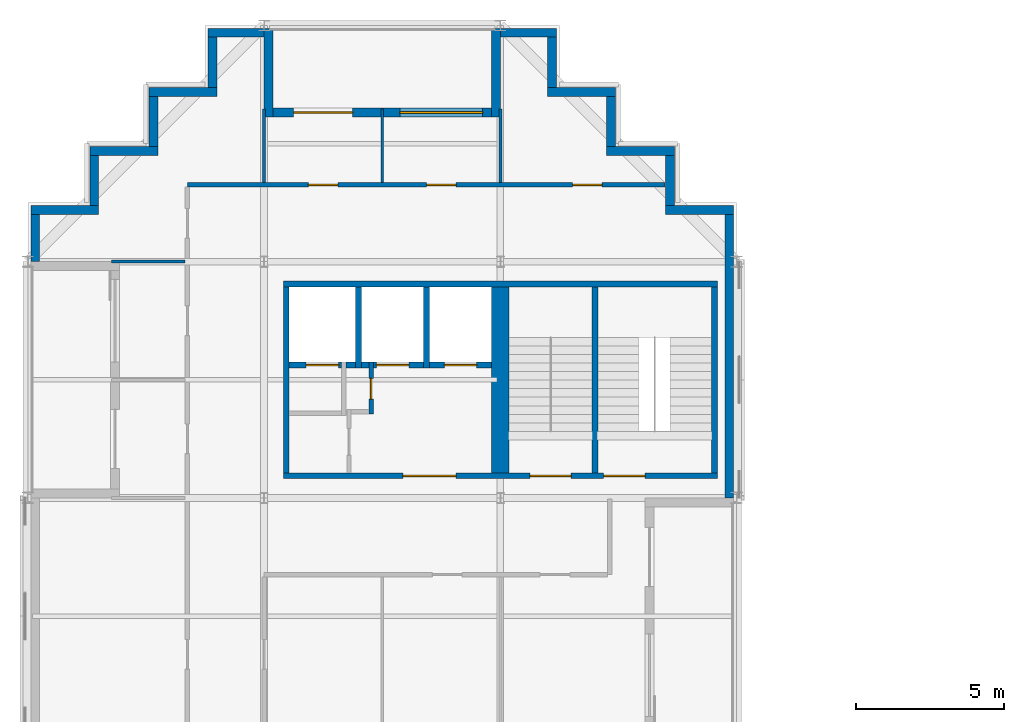
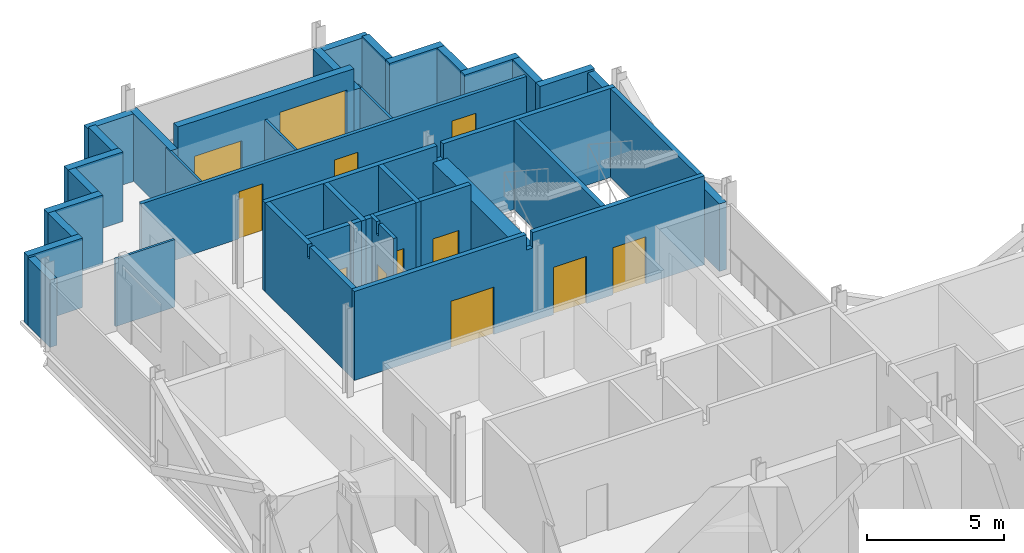
# One storey, part 8 of 12: 38 walls, 11 doors, 1 window, 12 openings.
"""IFC4 building model written with IfcOpenShell, lengths in metres."""

from ifc_helpers import new_model, si_unit, direction, frame, frame_2d, origin, place, context, subcontext, project, spatial, polyline, rectangle, outline, extrude, material, layer, layer_set, type_object, element, fill, save


model = new_model("IFC4")

# Units and contexts
model_context = context("Model", 3, precision=1e-05, world=origin(), true_north=direction((0.0, 1.0)))
body_context = subcontext(model_context, "Body", "Model", "MODEL_VIEW")
ifc_project = project(units=[si_unit("LENGTHUNIT", "METRE"), si_unit("AREAUNIT", "SQUARE_METRE"), si_unit("VOLUMEUNIT", "CUBIC_METRE"), si_unit("PLANEANGLEUNIT", "RADIAN"), si_unit("MASSUNIT", "GRAM", prefix="KILO")], contexts=[model_context])

# Site, building, storey
site_placement = place(None, origin())
site = spatial("IfcSite", under=ifc_project, at=site_placement, CompositionType="ELEMENT")
building_placement = place(site_placement, origin())
building = spatial("IfcBuilding", under=site, at=building_placement, Name="Immortelle Media Tower", CompositionType="ELEMENT")
storey_placement = place(building_placement, frame((0.0, 0.0, 178.800048828125)))
storey = spatial("IfcBuildingStorey", under=building, at=storey_placement, Name="L37", CompositionType="ELEMENT", Elevation=178.800048828125)

# Wall, opening, door
ifc_material_1 = material(Name="Fire-rated gypsum board", Category="gypsum")
ifc_layer_1 = layer(ifc_material_1, 0.02490234375)
ifc_material_2 = material(Name="Steel ASTM A653 SS Gr 50 stud frame with mineral wool", Category="steel")
ifc_layer_2 = layer(ifc_material_2, 0.10009765625)
ifc_layer_3 = layer(ifc_material_1, 0.02490234375)
ifc_layer_set_1 = layer_set([ifc_layer_1, ifc_layer_2, ifc_layer_3], Name="Steel ASTM A653 SS Gr 50 stud frame with mineral wool")
wall_type_1 = type_object("IfcWallType", Name="Core partition 150", PredefinedType="PARTITIONING", material=ifc_layer_set_1)
wall_1_placement = place(storey_placement, frame((11.625, 34.85009765625, 0.0), z_axis=(0.0, 0.0, 1.0), x_axis=(0.0, 1.0, 0.0)))
wall_1 = element("IfcWall", 1, at=wall_1_placement, inside=storey, type_object=wall_type_1, Name="Core partition NW", PredefinedType="PARTITIONING", context=body_context, shape_type="SweptSolid", body=[
    extrude(outline(polyline([(0.0, 0.0), (1.75, 0.0), (1.75, 3.949951171875), (1.238525390625, 3.949951171875), (1.237548828125, 3.407958984375), (1.0625, 3.407958984375), (1.0615234375, 3.949951171875), (0.0, 3.949951171875), (0.0, 0.0)])), frame((0.0, 0.074951171875, 0.0), z_axis=(0.0, -1.0, 0.0), x_axis=(1.0, 0.0, 0.0)), (0.0, 0.0, 1.0), 0.14990234375),
])
opening_1_placement = place(wall_1_placement, frame((0.5, 0.0, 0.0)))
opening_1 = element("IfcOpeningElement", 2, at=opening_1_placement, cuts=wall_1, Name="Opening C6-K024", PredefinedType="OPENING", context=body_context, shape_type="SweptSolid", body=[
    extrude(rectangle(XDim=0.699951171875, YDim=2.10009765625, at=frame_2d((0.35009765625, 1.050048828125))), frame((0.0, 0.0849609375, 0.0), z_axis=(0.0, -1.0, 0.0), x_axis=(1.0, 0.0, 0.0)), (0.0, 0.0, 1.0), 0.169921875),
])
ifc_material_3 = material(Name="Galvanised steel door leaf and frame ASTM A653", Category="steel")
door_type_1 = type_object("IfcDoorType", Name="Service door 700 x 2100", OperationType="NOTDEFINED", PredefinedType="NOTDEFINED", material=ifc_material_3)
door_1_placement = place(opening_1_placement, origin())
door_1 = element("IfcDoor", 3, at=door_1_placement, inside=storey, type_object=door_type_1, Name="Service C6-K024", OperationType="SINGLE_SWING_LEFT", OverallHeight=2.10009765625, OverallWidth=0.699951171875, PredefinedType="NOTDEFINED", context=body_context, shape_type="SweptSolid", body=[
    extrude(rectangle(XDim=0.699951171875, YDim=2.10009765625, at=frame_2d((0.35009765625, 1.050048828125))), frame((0.0, 0.02490234375, 0.0), z_axis=(0.0, -1.0, 0.0), x_axis=(1.0, 0.0, 0.0)), (0.0, 0.0, 1.0), 0.050048828125),
])
fill(opening_1, door_1)

# Wall
ifc_layer_4 = layer(ifc_material_1, 0.03759765625)
ifc_layer_5 = layer(ifc_material_2, 0.125)
ifc_layer_6 = layer(ifc_material_1, 0.03759765625)
ifc_layer_set_2 = layer_set([ifc_layer_4, ifc_layer_5, ifc_layer_6], Name="Steel ASTM A653 SS Gr 50 stud frame with mineral wool")
wall_type_2 = type_object("IfcWallType", Name="Core shaft wall 200", PredefinedType="PARTITIONING", material=ifc_layer_set_2)
wall_2_placement = place(storey_placement, frame((8.75, 32.85009765625, 0.0), z_axis=(0.0, 0.0, 1.0), x_axis=(0.0, 1.0, 0.0)))
element("IfcWall", 4, at=wall_2_placement, inside=storey, type_object=wall_type_2, Name="Core shaft wall NW", PredefinedType="PARTITIONING", context=body_context, shape_type="SweptSolid", body=[
    extrude(outline(polyline([(0.0, 0.0), (6.2998046875, 0.0), (6.300048828125, 3.949951171875), (3.238525390625, 3.949951171875), (3.237548828125, 3.407958984375), (3.0625, 3.407958984375), (3.0615234375, 3.949951171875), (0.0, 3.949951171875), (0.0, 0.0)])), frame((0.0, 0.10009765625, 0.0), z_axis=(0.0, -1.0, 0.0), x_axis=(1.0, 0.0, 0.0)), (0.0, 0.0, 1.0), 0.199951171875),
])

# Wall, opening, door
wall_3_placement = place(storey_placement, frame((8.85009765625, 36.5, 0.0), z_axis=(0.0, 0.0, 1.0), x_axis=(1.0, 0.0, 0.0)))
wall_3 = element("IfcWall", 5, at=wall_3_placement, inside=storey, type_object=wall_type_2, Name="Core shaft wall NW", PredefinedType="PARTITIONING", context=body_context, shape_type="SweptSolid", body=[
    extrude(rectangle(XDim=1.77490234375, YDim=0.199951171875, at=frame_2d((0.887451171875, 0.0))), origin(), (0.0, 0.0, 1.0), 3.949951171875),
])
opening_2_placement = place(wall_3_placement, frame((0.574951171875, 0.0, 0.0)))
opening_2 = element("IfcOpeningElement", 6, at=opening_2_placement, cuts=wall_3, Name="Opening LD", PredefinedType="OPENING", context=body_context, shape_type="SweptSolid", body=[
    extrude(rectangle(XDim=1.10009765625, YDim=2.10009765625, at=frame_2d((0.550048828125, 1.050048828125))), frame((0.0, 0.10986328125, 0.0), z_axis=(0.0, -1.0, 0.0), x_axis=(1.0, 0.0, 0.0)), (0.0, 0.0, 1.0), 0.219970703125),
])
ifc_material_4 = material(Name="Stainless steel AISI 304", Category="steel")
door_type_2 = type_object("IfcDoorType", Name="Landing door 1100 x 2100", OperationType="SLIDING_TO_LEFT", PredefinedType="NOTDEFINED", material=ifc_material_4)
door_2_placement = place(opening_2_placement, origin())
door_2 = element("IfcDoor", 7, at=door_2_placement, inside=storey, type_object=door_type_2, Name="Landing door MR1 L37", OperationType="SLIDING_TO_LEFT", OverallHeight=2.10009765625, OverallWidth=1.10009765625, PredefinedType="NOTDEFINED", context=body_context, shape_type="SweptSolid", body=[
    extrude(rectangle(XDim=1.10009765625, YDim=2.10009765625, at=frame_2d((0.550048828125, 1.050048828125))), frame((0.0, 0.02490234375, 0.0), z_axis=(0.0, -1.0, 0.0), x_axis=(1.0, 0.0, 0.0)), (0.0, 0.0, 1.0), 0.050048828125),
])
fill(opening_2, door_2)

# Walls
wall_4_placement = place(storey_placement, frame((10.77490234375, 36.5, 0.0), z_axis=(0.0, 0.0, 1.0), x_axis=(1.0, 0.0, 0.0)))
element("IfcWall", 8, at=wall_4_placement, inside=storey, type_object=wall_type_2, Name="Core shaft wall NW", PredefinedType="PARTITIONING", context=body_context, shape_type="SweptSolid", body=[
    extrude(rectangle(XDim=0.3251953125, YDim=0.199951171875, at=frame_2d((0.16259765625, 0.0))), origin(), (0.0, 0.0, 1.0), 3.949951171875),
])
wall_5_placement = place(storey_placement, frame((11.199951171875, 36.39990234375, 0.0), z_axis=(0.0, 0.0, 1.0), x_axis=(0.0, 1.0, 0.0)))
element("IfcWall", 9, at=wall_5_placement, inside=storey, type_object=wall_type_2, Name="Core shaft wall NW", PredefinedType="PARTITIONING", context=body_context, shape_type="SweptSolid", body=[
    extrude(rectangle(XDim=2.75, YDim=0.199951171875, at=frame_2d((1.375, 0.0))), origin(), (0.0, 0.0, 1.0), 3.949951171875),
])
wall_6_placement = place(storey_placement, frame((11.300048828125, 36.5, 0.0), z_axis=(0.0, 0.0, 1.0), x_axis=(1.0, 0.0, 0.0)))
element("IfcWall", 10, at=wall_6_placement, inside=storey, type_object=wall_type_2, Name="Core shaft wall NW", PredefinedType="PARTITIONING", context=body_context, shape_type="SweptSolid", body=[
    extrude(rectangle(XDim=0.25, YDim=0.199951171875, at=frame_2d((0.125, 0.0))), origin(), (0.0, 0.0, 1.0), 3.949951171875),
])

# Wall, opening, door
wall_7_placement = place(storey_placement, frame((11.699951171875, 36.5, 0.0), z_axis=(0.0, 0.0, 1.0), x_axis=(1.0, 0.0, 0.0)))
wall_7 = element("IfcWall", 11, at=wall_7_placement, inside=storey, type_object=wall_type_2, Name="Core shaft wall NW", PredefinedType="PARTITIONING", context=body_context, shape_type="SweptSolid", body=[
    extrude(rectangle(XDim=1.699951171875, YDim=0.199951171875, at=frame_2d((0.85009765625, 0.0))), origin(), (0.0, 0.0, 1.0), 3.949951171875),
])
opening_3_placement = place(wall_7_placement, frame((0.10009765625, 0.0, 0.0)))
opening_3 = element("IfcOpeningElement", 12, at=opening_3_placement, cuts=wall_7, Name="Opening LD", PredefinedType="OPENING", context=body_context, shape_type="SweptSolid", body=[
    extrude(rectangle(XDim=1.10009765625, YDim=2.10009765625, at=frame_2d((0.550048828125, 1.050048828125))), frame((0.0, 0.10986328125, 0.0), z_axis=(0.0, -1.0, 0.0), x_axis=(1.0, 0.0, 0.0)), (0.0, 0.0, 1.0), 0.219970703125),
])
door_3_placement = place(opening_3_placement, origin())
door_3 = element("IfcDoor", 13, at=door_3_placement, inside=storey, type_object=door_type_2, Name="Landing door MR2 L37", OperationType="SLIDING_TO_LEFT", OverallHeight=2.10009765625, OverallWidth=1.10009765625, PredefinedType="NOTDEFINED", context=body_context, shape_type="SweptSolid", body=[
    extrude(rectangle(XDim=1.10009765625, YDim=2.10009765625, at=frame_2d((0.550048828125, 1.050048828125))), frame((0.0, 0.02490234375, 0.0), z_axis=(0.0, -1.0, 0.0), x_axis=(1.0, 0.0, 0.0)), (0.0, 0.0, 1.0), 0.050048828125),
])
fill(opening_3, door_3)

# Wall
wall_8_placement = place(storey_placement, frame((13.5, 36.39990234375, 0.0), z_axis=(0.0, 0.0, 1.0), x_axis=(0.0, 1.0, 0.0)))
element("IfcWall", 14, at=wall_8_placement, inside=storey, type_object=wall_type_2, Name="Core shaft wall NW", PredefinedType="PARTITIONING", context=body_context, shape_type="SweptSolid", body=[
    extrude(rectangle(XDim=2.75, YDim=0.199951171875, at=frame_2d((1.375, 0.0))), origin(), (0.0, 0.0, 1.0), 3.949951171875),
])

# Wall, opening, door
wall_9_placement = place(storey_placement, frame((13.60009765625, 36.5, 0.0), z_axis=(0.0, 0.0, 1.0), x_axis=(1.0, 0.0, 0.0)))
wall_9 = element("IfcWall", 15, at=wall_9_placement, inside=storey, type_object=wall_type_2, Name="Core shaft wall NW", PredefinedType="PARTITIONING", context=body_context, shape_type="SweptSolid", body=[
    extrude(rectangle(XDim=2.099853515625, YDim=0.199951171875, at=frame_2d((1.0498046875, 0.0))), origin(), (0.0, 0.0, 1.0), 3.949951171875),
])
opening_4_placement = place(wall_9_placement, frame((0.5, 0.0, 0.0)))
opening_4 = element("IfcOpeningElement", 16, at=opening_4_placement, cuts=wall_9, Name="Opening LD", PredefinedType="OPENING", context=body_context, shape_type="SweptSolid", body=[
    extrude(rectangle(XDim=1.10009765625, YDim=2.10009765625, at=frame_2d((0.550048828125, 1.050048828125))), frame((0.0, 0.10986328125, 0.0), z_axis=(0.0, -1.0, 0.0), x_axis=(1.0, 0.0, 0.0)), (0.0, 0.0, 1.0), 0.219970703125),
])
door_4_placement = place(opening_4_placement, origin())
door_4 = element("IfcDoor", 17, at=door_4_placement, inside=storey, type_object=door_type_2, Name="Landing door MR3 L37", OperationType="SLIDING_TO_LEFT", OverallHeight=2.10009765625, OverallWidth=1.10009765625, PredefinedType="NOTDEFINED", context=body_context, shape_type="SweptSolid", body=[
    extrude(rectangle(XDim=1.10009765625, YDim=2.10009765625, at=frame_2d((0.550048828125, 1.050048828125))), frame((0.0, 0.02490234375, 0.0), z_axis=(0.0, -1.0, 0.0), x_axis=(1.0, 0.0, 0.0)), (0.0, 0.0, 1.0), 0.050048828125),
])
fill(opening_4, door_4)

# Wall, openings, doors
ifc_layer_7 = layer(ifc_material_1, 0.012451171875)
ifc_layer_8 = layer(ifc_material_2, 0.125)
ifc_layer_9 = layer(ifc_material_1, 0.012451171875)
ifc_layer_set_3 = layer_set([ifc_layer_7, ifc_layer_8, ifc_layer_9], Name="Steel ASTM A653 SS Gr 50 stud frame with mineral wool")
wall_type_3 = type_object("IfcWallType", Name="Corridor wall 150", PredefinedType="PARTITIONING", material=ifc_layer_set_3)
wall_10_placement = place(storey_placement, frame((5.39990234375, 42.60009765625, 0.0), z_axis=(0.0, 0.0, 1.0), x_axis=(1.0, 0.0, 0.0)))
wall_10 = element("IfcWall", 18, at=wall_10_placement, inside=storey, type_object=wall_type_3, Name="Partition L37-028", PredefinedType="PARTITIONING", context=body_context, shape_type="SweptSolid", body=[
    extrude(rectangle(XDim=16.170166015625, YDim=0.14990234375, at=frame_2d((8.0849609375, 0.0))), origin(), (0.0, 0.0, 1.0), 2.993896484375),
])
opening_5_placement = place(wall_10_placement, frame((4.10009765625, 0.0, 0.0)))
opening_5 = element("IfcOpeningElement", 19, at=opening_5_placement, cuts=wall_10, Name="Opening C6-F020", PredefinedType="OPENING", context=body_context, shape_type="SweptSolid", body=[
    extrude(rectangle(XDim=1.0, YDim=2.10009765625, at=frame_2d((0.5, 1.050048828125))), frame((0.0, 0.0849609375, 0.0), z_axis=(0.0, -1.0, 0.0), x_axis=(1.0, 0.0, 0.0)), (0.0, 0.0, 1.0), 0.169921875),
])
opening_6_placement = place(wall_10_placement, frame((8.10009765625, 0.0, 0.0)))
opening_6 = element("IfcOpeningElement", 20, at=opening_6_placement, cuts=wall_10, Name="Opening C6-F021", PredefinedType="OPENING", context=body_context, shape_type="SweptSolid", body=[
    extrude(rectangle(XDim=1.0, YDim=2.10009765625, at=frame_2d((0.5, 1.050048828125))), frame((0.0, 0.0849609375, 0.0), z_axis=(0.0, -1.0, 0.0), x_axis=(1.0, 0.0, 0.0)), (0.0, 0.0, 1.0), 0.169921875),
])
opening_7_placement = place(wall_10_placement, frame((13.050048828125, 0.0, 0.0)))
opening_7 = element("IfcOpeningElement", 21, at=opening_7_placement, cuts=wall_10, Name="Opening C6-F022", PredefinedType="OPENING", context=body_context, shape_type="SweptSolid", body=[
    extrude(rectangle(XDim=1.0, YDim=2.10009765625, at=frame_2d((0.5, 1.050048828125))), frame((0.0, 0.0849609375, 0.0), z_axis=(0.0, -1.0, 0.0), x_axis=(1.0, 0.0, 0.0)), (0.0, 0.0, 1.0), 0.169921875),
])
ifc_material_5 = material(Name="Timber veneered door leaf, galvanised steel frame ASTM A653", Category="steel")
door_type_3 = type_object("IfcDoorType", Name="Room door 1000 x 2100", OperationType="NOTDEFINED", PredefinedType="DOOR", material=ifc_material_5)
door_5_placement = place(opening_5_placement, origin())
door_5 = element("IfcDoor", 22, at=door_5_placement, inside=storey, type_object=door_type_3, Name="Door C6-F020", OperationType="SINGLE_SWING_RIGHT", OverallHeight=2.10009765625, OverallWidth=1.0, PredefinedType="DOOR", context=body_context, shape_type="SweptSolid", body=[
    extrude(rectangle(XDim=1.0, YDim=2.10009765625, at=frame_2d((0.5, 1.050048828125))), frame((0.0, 0.02490234375, 0.0), z_axis=(0.0, -1.0, 0.0), x_axis=(1.0, 0.0, 0.0)), (0.0, 0.0, 1.0), 0.050048828125),
])
fill(opening_5, door_5)
door_6_placement = place(opening_6_placement, origin())
door_6 = element("IfcDoor", 23, at=door_6_placement, inside=storey, type_object=door_type_3, Name="Door C6-F021", OperationType="SINGLE_SWING_LEFT", OverallHeight=2.10009765625, OverallWidth=1.0, PredefinedType="DOOR", context=body_context, shape_type="SweptSolid", body=[
    extrude(rectangle(XDim=1.0, YDim=2.10009765625, at=frame_2d((0.5, 1.050048828125))), frame((0.0, 0.02490234375, 0.0), z_axis=(0.0, -1.0, 0.0), x_axis=(1.0, 0.0, 0.0)), (0.0, 0.0, 1.0), 0.050048828125),
])
fill(opening_6, door_6)
door_7_placement = place(opening_7_placement, origin())
door_7 = element("IfcDoor", 24, at=door_7_placement, inside=storey, type_object=door_type_3, Name="Door C6-F022", OperationType="SINGLE_SWING_LEFT", OverallHeight=2.10009765625, OverallWidth=1.0, PredefinedType="DOOR", context=body_context, shape_type="SweptSolid", body=[
    extrude(rectangle(XDim=1.0, YDim=2.10009765625, at=frame_2d((0.5, 1.050048828125))), frame((0.0, 0.02490234375, 0.0), z_axis=(0.0, -1.0, 0.0), x_axis=(1.0, 0.0, 0.0)), (0.0, 0.0, 1.0), 0.050048828125),
])
fill(opening_7, door_7)

# Walls
ifc_material_6 = material(Name="Pale aluminium cladding panel", Category="aluminium")
ifc_layer_10 = layer(ifc_material_6, 0.030029296875)
ifc_layer_11 = layer(ifc_material_2, 0.257568359375)
ifc_material_7 = material(Name="Moisture-resistant gypsum board", Category="gypsum")
ifc_layer_12 = layer(ifc_material_7, 0.012451171875)
ifc_layer_set_4 = layer_set([ifc_layer_10, ifc_layer_11, ifc_layer_12], Name="Steel ASTM A653 SS Gr 50 stud frame with mineral wool")
wall_type_4 = type_object("IfcWallType", Name="Facade wall 300", PredefinedType="SOLIDWALL", material=ifc_layer_set_4)
wall_11_placement = place(storey_placement, frame((23.75, 32.0, 0.0), z_axis=(0.0, 0.0, 1.0), x_axis=(0.0, 1.0, 0.0)))
element("IfcWall", 25, at=wall_11_placement, inside=storey, type_object=wall_type_4, Name="Facade wall L37 E21", PredefinedType="SOLIDWALL", context=body_context, shape_type="SweptSolid", body=[
    extrude(rectangle(XDim=9.60009765625, YDim=0.300048828125, at=frame_2d((4.800048828125, 0.0))), origin(), (0.0, 0.0, 1.0), 2.9990234375),
])
wall_12_placement = place(storey_placement, frame((23.89990234375, 41.75, 0.0), z_axis=(0.0, 0.0, 1.0), x_axis=(-1.0, 0.0, 0.0)))
element("IfcWall", 26, at=wall_12_placement, inside=storey, type_object=wall_type_4, Name="Facade wall L37 N22", PredefinedType="SOLIDWALL", context=body_context, shape_type="SweptSolid", body=[
    extrude(rectangle(XDim=2.2998046875, YDim=0.300048828125, at=frame_2d((1.14990234375, 0.0))), origin(), (0.0, 0.0, 1.0), 3.087890625),
])
wall_13_placement = place(storey_placement, frame((21.75, 41.89990234375, 0.0), z_axis=(0.0, 0.0, 1.0), x_axis=(0.0, 1.0, 0.0)))
element("IfcWall", 27, at=wall_13_placement, inside=storey, type_object=wall_type_4, Name="Facade wall L37 E23", PredefinedType="SOLIDWALL", context=body_context, shape_type="SweptSolid", body=[
    extrude(rectangle(XDim=1.7001953125, YDim=0.300048828125, at=frame_2d((0.85009765625, 0.0))), origin(), (0.0, 0.0, 1.0), 3.087890625),
])
wall_14_placement = place(storey_placement, frame((21.89990234375, 43.75, 0.0), z_axis=(0.0, 0.0, 1.0), x_axis=(-1.0, 0.0, 0.0)))
element("IfcWall", 28, at=wall_14_placement, inside=storey, type_object=wall_type_4, Name="Facade wall L37 N24", PredefinedType="SOLIDWALL", context=body_context, shape_type="SweptSolid", body=[
    extrude(rectangle(XDim=2.2998046875, YDim=0.300048828125, at=frame_2d((1.14990234375, 0.0))), origin(), (0.0, 0.0, 1.0), 3.087890625),
])
wall_15_placement = place(storey_placement, frame((19.75, 43.89990234375, 0.0), z_axis=(0.0, 0.0, 1.0), x_axis=(0.0, 1.0, 0.0)))
element("IfcWall", 29, at=wall_15_placement, inside=storey, type_object=wall_type_4, Name="Facade wall L37 E25", PredefinedType="SOLIDWALL", context=body_context, shape_type="SweptSolid", body=[
    extrude(rectangle(XDim=1.7001953125, YDim=0.300048828125, at=frame_2d((0.85009765625, 0.0))), origin(), (0.0, 0.0, 1.0), 3.087890625),
])
wall_16_placement = place(storey_placement, frame((19.89990234375, 45.75, 0.0), z_axis=(0.0, 0.0, 1.0), x_axis=(-1.0, 0.0, 0.0)))
element("IfcWall", 30, at=wall_16_placement, inside=storey, type_object=wall_type_4, Name="Facade wall L37 N26", PredefinedType="SOLIDWALL", context=body_context, shape_type="SweptSolid", body=[
    extrude(rectangle(XDim=2.2998046875, YDim=0.300048828125, at=frame_2d((1.14990234375, 0.0))), origin(), (0.0, 0.0, 1.0), 3.087890625),
])
wall_17_placement = place(storey_placement, frame((17.75, 45.89990234375, 0.0), z_axis=(0.0, 0.0, 1.0), x_axis=(0.0, 1.0, 0.0)))
element("IfcWall", 31, at=wall_17_placement, inside=storey, type_object=wall_type_4, Name="Facade wall L37 E27", PredefinedType="SOLIDWALL", context=body_context, shape_type="SweptSolid", body=[
    extrude(rectangle(XDim=1.7001953125, YDim=0.300048828125, at=frame_2d((0.85009765625, 0.0))), origin(), (0.0, 0.0, 1.0), 3.087890625),
])
wall_18_placement = place(storey_placement, frame((17.89990234375, 47.75, 0.0), z_axis=(0.0, 0.0, 1.0), x_axis=(-1.0, 0.0, 0.0)))
element("IfcWall", 32, at=wall_18_placement, inside=storey, type_object=wall_type_4, Name="Facade wall L37 N28", PredefinedType="SOLIDWALL", context=body_context, shape_type="SweptSolid", body=[
    extrude(rectangle(XDim=1.89990234375, YDim=0.300048828125, at=frame_2d((0.949951171875, 0.0))), origin(), (0.0, 0.0, 1.0), 2.9990234375),
])

# Wall, openings, door, window
wall_19_placement = place(storey_placement, frame((15.699951171875, 45.050048828125, 0.0), z_axis=(0.0, 0.0, 1.0), x_axis=(-1.0, 0.0, 0.0)))
wall_19 = element("IfcWall", 33, at=wall_19_placement, inside=storey, type_object=wall_type_4, Name="Loggia wall L37 N28", PredefinedType="SOLIDWALL", context=body_context, shape_type="SweptSolid", body=[
    extrude(rectangle(XDim=7.39990234375, YDim=0.300048828125, at=frame_2d((3.699951171875, 0.0))), origin(), (0.0, 0.0, 1.0), 3.949951171875),
])
opening_8_placement = place(wall_19_placement, frame((0.300048828125, 0.0, 0.89990234375)))
opening_8 = element("IfcOpeningElement", 34, at=opening_8_placement, cuts=wall_19, Name="Opening W1", PredefinedType="OPENING", context=body_context, shape_type="SweptSolid", body=[
    extrude(rectangle(XDim=2.800048828125, YDim=2.199951171875, at=frame_2d((1.39990234375, 1.10009765625))), frame((0.0, 0.159912109375, 0.0), z_axis=(0.0, -1.0, 0.0), x_axis=(1.0, 0.0, 0.0)), (0.0, 0.0, 1.0), 0.320068359375),
])
opening_9_placement = place(wall_19_placement, frame((4.699951171875, 0.0, 0.0)))
opening_9 = element("IfcOpeningElement", 35, at=opening_9_placement, cuts=wall_19, Name="Opening C6-E006", PredefinedType="OPENING", context=body_context, shape_type="SweptSolid", body=[
    extrude(rectangle(XDim=2.0, YDim=2.39990234375, at=frame_2d((1.0, 1.199951171875))), frame((0.0, 0.159912109375, 0.0), z_axis=(0.0, -1.0, 0.0), x_axis=(1.0, 0.0, 0.0)), (0.0, 0.0, 1.0), 0.320068359375),
])
ifc_material_8 = material(Name="Aluminium frame, glazed leaves", Category="aluminium")
door_type_4 = type_object("IfcDoorType", Name="Loggia door 2000 x 2400", OperationType="DOUBLE_DOOR_SINGLE_SWING", PredefinedType="DOOR", material=ifc_material_8)
door_8_placement = place(opening_9_placement, origin())
door_8 = element("IfcDoor", 36, at=door_8_placement, inside=storey, type_object=door_type_4, Name="Door C6-E006", OperationType="DOUBLE_DOOR_SINGLE_SWING", OverallHeight=2.39990234375, OverallWidth=2.0, PredefinedType="DOOR", context=body_context, shape_type="SweptSolid", body=[
    extrude(rectangle(XDim=2.0, YDim=2.39990234375, at=frame_2d((1.0, 1.199951171875))), frame((0.0, 0.02490234375, 0.0), z_axis=(0.0, -1.0, 0.0), x_axis=(1.0, 0.0, 0.0)), (0.0, 0.0, 1.0), 0.050048828125),
])
fill(opening_9, door_8)
ifc_material_9 = material(Name="Aluminium frame", Category="aluminium")
window_type = type_object("IfcWindowType", Name="Window 2800 x 2200", PartitioningType="SINGLE_PANEL", PredefinedType="WINDOW", material=ifc_material_9)
window_placement = place(opening_8_placement, origin())
window = element("IfcWindow", 37, at=window_placement, inside=storey, type_object=window_type, Name="Window L37 L37-R28-B0", OverallHeight=2.199951171875, OverallWidth=2.800048828125, PartitioningType="SINGLE_PANEL", PredefinedType="WINDOW", context=body_context, shape_type="SweptSolid", body=[
    extrude(rectangle(XDim=2.800048828125, YDim=2.199951171875, at=frame_2d((1.39990234375, 1.10009765625))), frame((0.0, 0.030029296875, 0.0), z_axis=(0.0, -1.0, 0.0), x_axis=(1.0, 0.0, 0.0)), (0.0, 0.0, 1.0), 0.06005859375),
])
fill(opening_8, window)

# Walls
for number, where, z_axis, x_axis, name in (
    (38, (15.85009765625, 47.89990234375, 0.0), (0.0, 0.0, 1.0), (0.0, -1.0, 0.0), "Loggia cheek wall L37 N"),
    (39, (8.14990234375, 47.89990234375, 0.0), (0.0, 0.0, 1.0), (0.0, -1.0, 0.0), "Loggia cheek wall L37 N"),
):
    element("IfcWall", number, at=place(storey_placement, frame(where, z_axis=z_axis, x_axis=x_axis)), inside=storey, type_object=wall_type_4, Name=name, PredefinedType="SOLIDWALL", context=body_context, shape_type="SweptSolid", body=[
        extrude(rectangle(XDim=3.0, YDim=0.300048828125, at=frame_2d((1.5, 0.0))), origin(), (0.0, 0.0, 1.0), 2.9990234375),
    ])
wall_20_placement = place(storey_placement, frame((8.0, 47.75, 0.0), z_axis=(0.0, 0.0, 1.0), x_axis=(-1.0, 0.0, 0.0)))
element("IfcWall", 40, at=wall_20_placement, inside=storey, type_object=wall_type_4, Name="Facade wall L37 N28", PredefinedType="SOLIDWALL", context=body_context, shape_type="SweptSolid", body=[
    extrude(rectangle(XDim=1.89990234375, YDim=0.300048828125, at=frame_2d((0.949951171875, 0.0))), origin(), (0.0, 0.0, 1.0), 2.9990234375),
])
wall_21_placement = place(storey_placement, frame((6.25, 47.60009765625, 0.0), z_axis=(0.0, 0.0, 1.0), x_axis=(0.0, -1.0, 0.0)))
element("IfcWall", 41, at=wall_21_placement, inside=storey, type_object=wall_type_4, Name="Facade wall L37 W29", PredefinedType="SOLIDWALL", context=body_context, shape_type="SweptSolid", body=[
    extrude(rectangle(XDim=1.7001953125, YDim=0.300048828125, at=frame_2d((0.85009765625, 0.0))), origin(), (0.0, 0.0, 1.0), 3.087890625),
])
wall_22_placement = place(storey_placement, frame((6.39990234375, 45.75, 0.0), z_axis=(0.0, 0.0, 1.0), x_axis=(-1.0, 0.0, 0.0)))
element("IfcWall", 42, at=wall_22_placement, inside=storey, type_object=wall_type_4, Name="Facade wall L37 N30", PredefinedType="SOLIDWALL", context=body_context, shape_type="SweptSolid", body=[
    extrude(rectangle(XDim=2.2998046875, YDim=0.300048828125, at=frame_2d((1.14990234375, 0.0))), origin(), (0.0, 0.0, 1.0), 3.087890625),
])
wall_23_placement = place(storey_placement, frame((4.25, 45.60009765625, 0.0), z_axis=(0.0, 0.0, 1.0), x_axis=(0.0, -1.0, 0.0)))
element("IfcWall", 43, at=wall_23_placement, inside=storey, type_object=wall_type_4, Name="Facade wall L37 W31", PredefinedType="SOLIDWALL", context=body_context, shape_type="SweptSolid", body=[
    extrude(rectangle(XDim=1.7001953125, YDim=0.300048828125, at=frame_2d((0.85009765625, 0.0))), origin(), (0.0, 0.0, 1.0), 3.087890625),
])
wall_24_placement = place(storey_placement, frame((4.39990234375, 43.75, 0.0), z_axis=(0.0, 0.0, 1.0), x_axis=(-1.0, 0.0, 0.0)))
element("IfcWall", 44, at=wall_24_placement, inside=storey, type_object=wall_type_4, Name="Facade wall L37 N32", PredefinedType="SOLIDWALL", context=body_context, shape_type="SweptSolid", body=[
    extrude(rectangle(XDim=2.2998046875, YDim=0.300048828125, at=frame_2d((1.14990234375, 0.0))), origin(), (0.0, 0.0, 1.0), 3.087890625),
])
wall_25_placement = place(storey_placement, frame((2.25, 43.60009765625, 0.0), z_axis=(0.0, 0.0, 1.0), x_axis=(0.0, -1.0, 0.0)))
element("IfcWall", 45, at=wall_25_placement, inside=storey, type_object=wall_type_4, Name="Facade wall L37 W33", PredefinedType="SOLIDWALL", context=body_context, shape_type="SweptSolid", body=[
    extrude(rectangle(XDim=1.7001953125, YDim=0.300048828125, at=frame_2d((0.85009765625, 0.0))), origin(), (0.0, 0.0, 1.0), 3.087890625),
])
wall_26_placement = place(storey_placement, frame((2.39990234375, 41.75, 0.0), z_axis=(0.0, 0.0, 1.0), x_axis=(-1.0, 0.0, 0.0)))
element("IfcWall", 46, at=wall_26_placement, inside=storey, type_object=wall_type_4, Name="Facade wall L37 N34", PredefinedType="SOLIDWALL", context=body_context, shape_type="SweptSolid", body=[
    extrude(rectangle(XDim=2.2998046875, YDim=0.300048828125, at=frame_2d((1.14990234375, 0.0))), origin(), (0.0, 0.0, 1.0), 3.087890625),
])
wall_27_placement = place(storey_placement, frame((0.25, 41.60009765625, 0.0), z_axis=(0.0, 0.0, 1.0), x_axis=(0.0, -1.0, 0.0)))
element("IfcWall", 47, at=wall_27_placement, inside=storey, type_object=wall_type_4, Name="Facade wall L37 W35", PredefinedType="SOLIDWALL", context=body_context, shape_type="SweptSolid", body=[
    extrude(rectangle(XDim=1.60009765625, YDim=0.300048828125, at=frame_2d((0.800048828125, 0.0))), origin(), (0.0, 0.0, 1.0), 2.9990234375),
])
ifc_material_10 = material(Name="Gypsum board", Category="gypsum")
ifc_layer_13 = layer(ifc_material_10, 0.012451171875)
ifc_layer_14 = layer(ifc_material_2, 0.074951171875)
ifc_layer_15 = layer(ifc_material_10, 0.012451171875)
ifc_layer_set_5 = layer_set([ifc_layer_13, ifc_layer_14, ifc_layer_15], Name="Steel ASTM A653 SS Gr 50 stud frame with mineral wool")
wall_type_5 = type_object("IfcWallType", Name="Partition 100", PredefinedType="PARTITIONING", material=ifc_layer_set_5)
for number, where, z_axis, x_axis, name in (
    (48, (2.830078125, 40.0, 0.0), (0.0, 0.0, 1.0), (1.0, 0.0, 0.0), "Partition L37-027"),
    (49, (8.0, 42.675048828125, 0.0), (0.0, 0.0, 1.0), (0.0, 1.0, 0.0), "Partition L37-029"),
    (50, (12.0, 42.675048828125, 0.0), (0.0, 0.0, 1.0), (0.0, 1.0, 0.0), "Partition L37-030"),
    (51, (16.0, 42.675048828125, 0.0), (0.0, 0.0, 1.0), (0.0, 1.0, 0.0), "Partition L37-031"),
):
    element("IfcWall", number, at=place(storey_placement, frame(where, z_axis=z_axis, x_axis=x_axis)), inside=storey, type_object=wall_type_5, Name=name, PredefinedType="PARTITIONING", context=body_context, shape_type="SweptSolid", body=[
        extrude(rectangle(XDim=2.494873046875, YDim=0.10009765625, at=frame_2d((1.24755859375, 0.0))), origin(), (0.0, 0.0, 1.0), 2.993896484375),
    ])

# Wall, openings, doors
ifc_material_11 = material(Name="Concrete C60", Category="concrete")
ifc_layer_16 = layer(ifc_material_11, 0.199951171875)
ifc_layer_set_6 = layer_set([ifc_layer_16], Name="Concrete C60")
wall_type_6 = type_object("IfcWallType", Name="Stair shaft wall 200", PredefinedType="PARTITIONING", material=ifc_layer_set_6)
wall_28_placement = place(storey_placement, frame((8.64990234375, 32.75, 0.0), z_axis=(0.0, 0.0, 1.0), x_axis=(1.0, 0.0, 0.0)))
wall_28 = element("IfcWall", 52, at=wall_28_placement, inside=storey, type_object=wall_type_6, Name="Stair shaft wall NW", PredefinedType="PARTITIONING", context=body_context, shape_type="SweptSolid", body=[
    extrude(outline(polyline([(0.0, 0.0), (14.7001953125, 0.0), (14.699951171875, 3.949951171875), (7.4814453125, 3.949951171875), (7.48046875, 3.265869140625), (7.219482421875, 3.265869140625), (7.218505859375, 3.949951171875), (0.0, 3.949951171875), (0.0, 0.0)])), frame((0.0, 0.10009765625, 0.0), z_axis=(0.0, -1.0, 0.0), x_axis=(1.0, 0.0, 0.0)), (0.0, 0.0, 1.0), 0.199951171875),
])
opening_10_placement = place(wall_28_placement, frame((4.050048828125, 0.0, 0.0)))
opening_10 = element("IfcOpeningElement", 53, at=opening_10_placement, cuts=wall_28, Name="Opening C6-K026", PredefinedType="OPENING", context=body_context, shape_type="SweptSolid", body=[
    extrude(rectangle(XDim=1.800048828125, YDim=2.10009765625, at=frame_2d((0.89990234375, 1.050048828125))), frame((0.0, 0.10986328125, 0.0), z_axis=(0.0, -1.0, 0.0), x_axis=(1.0, 0.0, 0.0)), (0.0, 0.0, 1.0), 0.219970703125),
])
opening_11_placement = place(wall_28_placement, frame((8.35009765625, 0.0, 0.0)))
opening_11 = element("IfcOpeningElement", 54, at=opening_11_placement, cuts=wall_28, Name="Opening C6-K028", PredefinedType="OPENING", context=body_context, shape_type="SweptSolid", body=[
    extrude(rectangle(XDim=1.39990234375, YDim=2.10009765625, at=frame_2d((0.699951171875, 1.050048828125))), frame((0.0, 0.10986328125, 0.0), z_axis=(0.0, -1.0, 0.0), x_axis=(1.0, 0.0, 0.0)), (0.0, 0.0, 1.0), 0.219970703125),
])
opening_12_placement = place(wall_28_placement, frame((10.85009765625, 0.0, 0.0)))
opening_12 = element("IfcOpeningElement", 55, at=opening_12_placement, cuts=wall_28, Name="Opening C6-K029", PredefinedType="OPENING", context=body_context, shape_type="SweptSolid", body=[
    extrude(rectangle(XDim=1.39990234375, YDim=2.10009765625, at=frame_2d((0.699951171875, 1.050048828125))), frame((0.0, 0.10986328125, 0.0), z_axis=(0.0, -1.0, 0.0), x_axis=(1.0, 0.0, 0.0)), (0.0, 0.0, 1.0), 0.219970703125),
])
door_type_5 = type_object("IfcDoorType", Name="Lift lobby door 1800 x 2100", OperationType="DOUBLE_DOOR_SINGLE_SWING", PredefinedType="NOTDEFINED", material=ifc_material_3)
door_9_placement = place(opening_10_placement, origin())
door_9 = element("IfcDoor", 56, at=door_9_placement, inside=storey, type_object=door_type_5, Name="Lift lobby C6-K026", OperationType="DOUBLE_DOOR_SINGLE_SWING", OverallHeight=2.10009765625, OverallWidth=1.800048828125, PredefinedType="NOTDEFINED", context=body_context, shape_type="SweptSolid", body=[
    extrude(rectangle(XDim=1.800048828125, YDim=2.10009765625, at=frame_2d((0.89990234375, 1.050048828125))), frame((0.0, 0.02490234375, 0.0), z_axis=(0.0, -1.0, 0.0), x_axis=(1.0, 0.0, 0.0)), (0.0, 0.0, 1.0), 0.050048828125),
])
fill(opening_10, door_9)
door_type_6 = type_object("IfcDoorType", Name="Stair door 1400 x 2100", OperationType="DOUBLE_DOOR_SINGLE_SWING", PredefinedType="NOTDEFINED", material=ifc_material_3)
door_10_placement = place(opening_11_placement, origin())
door_10 = element("IfcDoor", 57, at=door_10_placement, inside=storey, type_object=door_type_6, Name="Stair C6-K028", OperationType="DOUBLE_DOOR_SINGLE_SWING", OverallHeight=2.10009765625, OverallWidth=1.39990234375, PredefinedType="NOTDEFINED", context=body_context, shape_type="SweptSolid", body=[
    extrude(rectangle(XDim=1.39990234375, YDim=2.10009765625, at=frame_2d((0.699951171875, 1.050048828125))), frame((0.0, 0.02490234375, 0.0), z_axis=(0.0, -1.0, 0.0), x_axis=(1.0, 0.0, 0.0)), (0.0, 0.0, 1.0), 0.050048828125),
])
fill(opening_11, door_10)
door_11_placement = place(opening_12_placement, origin())
door_11 = element("IfcDoor", 58, at=door_11_placement, inside=storey, type_object=door_type_6, Name="Stair C6-K029", OperationType="DOUBLE_DOOR_SINGLE_SWING", OverallHeight=2.10009765625, OverallWidth=1.39990234375, PredefinedType="NOTDEFINED", context=body_context, shape_type="SweptSolid", body=[
    extrude(rectangle(XDim=1.39990234375, YDim=2.10009765625, at=frame_2d((0.699951171875, 1.050048828125))), frame((0.0, 0.02490234375, 0.0), z_axis=(0.0, -1.0, 0.0), x_axis=(1.0, 0.0, 0.0)), (0.0, 0.0, 1.0), 0.050048828125),
])
fill(opening_12, door_11)

# Walls
wall_29_placement = place(storey_placement, frame((8.64990234375, 39.25, 0.0), z_axis=(0.0, 0.0, 1.0), x_axis=(1.0, 0.0, 0.0)))
element("IfcWall", 59, at=wall_29_placement, inside=storey, type_object=wall_type_6, Name="Stair shaft wall NW", PredefinedType="PARTITIONING", context=body_context, shape_type="SweptSolid", body=[
    extrude(outline(polyline([(0.0, 0.0), (14.7001953125, 0.0), (14.699951171875, 3.949951171875), (7.4814453125, 3.949951171875), (7.48046875, 3.265869140625), (7.219482421875, 3.265869140625), (7.218505859375, 3.949951171875), (0.0, 3.949951171875), (0.0, 0.0)])), frame((0.0, 0.10009765625, 0.0), z_axis=(0.0, -1.0, 0.0), x_axis=(1.0, 0.0, 0.0)), (0.0, 0.0, 1.0), 0.199951171875),
])
for number, where, z_axis, x_axis, name in (
    (60, (19.199951171875, 32.85009765625, 0.0), (0.0, 0.0, 1.0), (0.0, 1.0, 0.0), "Stair shaft wall NW"),
    (61, (23.25, 32.85009765625, 0.0), (0.0, 0.0, 1.0), (0.0, 1.0, 0.0), "Stair shaft wall NW"),
):
    element("IfcWall", number, at=place(storey_placement, frame(where, z_axis=z_axis, x_axis=x_axis)), inside=storey, type_object=wall_type_6, Name=name, PredefinedType="PARTITIONING", context=body_context, shape_type="SweptSolid", body=[
        extrude(rectangle(XDim=6.2998046875, YDim=0.199951171875, at=frame_2d((3.14990234375, 0.0))), origin(), (0.0, 0.0, 1.0), 3.949951171875),
    ])
ifc_layer_17 = layer(ifc_material_11, 0.60009765625)
ifc_layer_set_7 = layer_set([ifc_layer_17], Name="Concrete C60")
wall_type_7 = type_object("IfcWallType", Name="Stair shaft wall 600", PredefinedType="PARTITIONING", material=ifc_layer_set_7)
wall_30_placement = place(storey_placement, frame((16.0, 32.85009765625, 0.0), z_axis=(0.0, 0.0, 1.0), x_axis=(0.0, 1.0, 0.0)))
element("IfcWall", 62, at=wall_30_placement, inside=storey, type_object=wall_type_7, Name="Stair shaft wall NW", PredefinedType="PARTITIONING", context=body_context, shape_type="SweptSolid", body=[
    extrude(rectangle(XDim=6.2998046875, YDim=0.60009765625, at=frame_2d((3.14990234375, 0.0))), origin(), (0.0, 0.0, 1.0), 3.265869140625),
])

save(model, "model.ifc")
